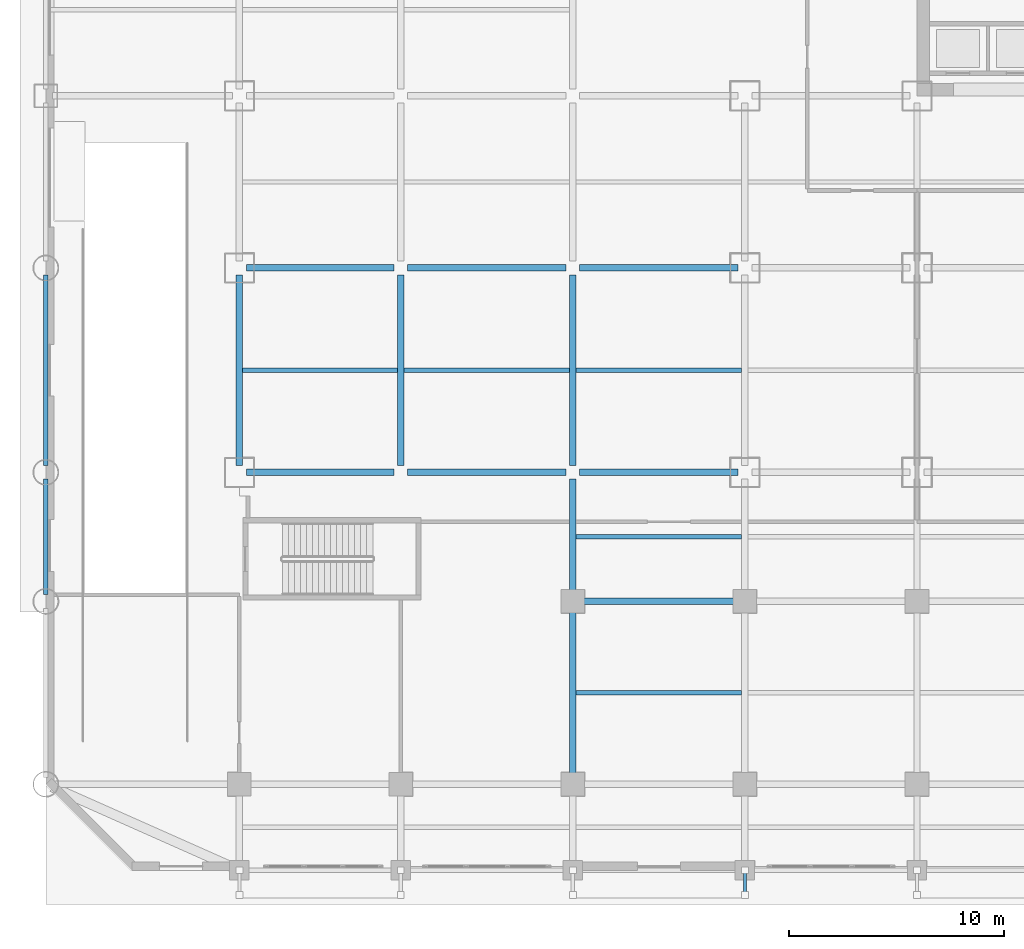
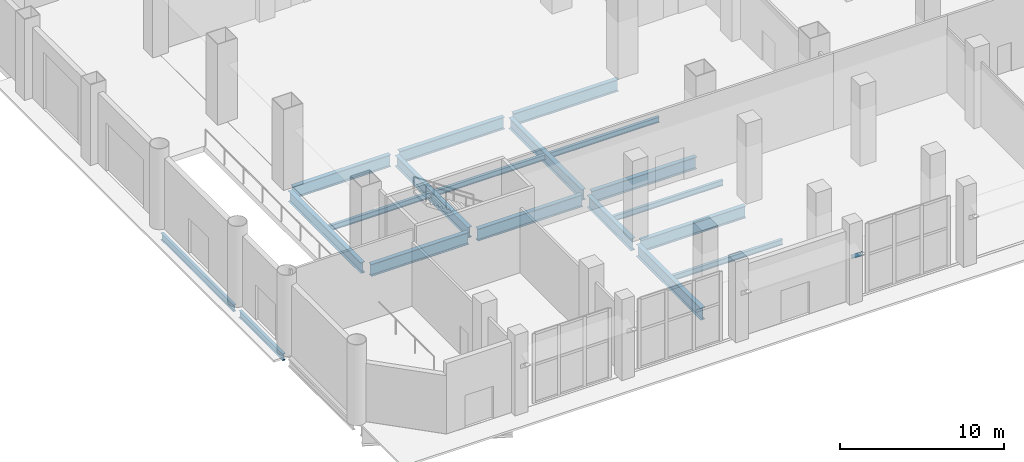
# One storey, part 5 of 19: 19 beams, 1 member.
"""IFC4 building model written with IfcOpenShell, lengths in metres."""

from ifc_helpers import new_model, si_unit, direction, frame, origin, origin_2d, place, context, subcontext, project, spatial, hollow_rectangle, i_section, extrude, material, material_profile, profile_set, type_object, element, save


model = new_model("IFC4")

# Units and contexts
model_context = context("Model", 3, precision=1e-05, world=origin(), true_north=direction((0.0, 1.0)))
body_context = subcontext(model_context, "Body", "Model", "MODEL_VIEW")
ifc_project = project(units=[si_unit("LENGTHUNIT", "METRE"), si_unit("AREAUNIT", "SQUARE_METRE"), si_unit("VOLUMEUNIT", "CUBIC_METRE"), si_unit("PLANEANGLEUNIT", "RADIAN"), si_unit("MASSUNIT", "GRAM", prefix="KILO")], contexts=[model_context])

# Site, building, storey
site_placement = place(None, origin())
site = spatial("IfcSite", under=ifc_project, at=site_placement, CompositionType="ELEMENT")
building_placement = place(site_placement, origin())
building = spatial("IfcBuilding", under=site, at=building_placement, Name="Qianrong Seaharbour Tower", CompositionType="ELEMENT")
storey_placement = place(building_placement, origin())
storey = spatial("IfcBuildingStorey", under=building, at=storey_placement, Name="L01", CompositionType="ELEMENT", Elevation=0.0)

# Beams
ifc_material_1 = material(Name="Structural steel SN490B", Category="steel")
ifc_material_profile_1 = material_profile(ifc_material_1, i_section(OverallWidth=0.300048828125, OverallDepth=0.800048828125, WebThickness=0.013916015625, FlangeThickness=0.02587890625, FilletRadius=0.028076171875, at=origin_2d()), Name="H800x300x14x26")
ifc_profile_set_1 = profile_set([ifc_material_profile_1], Name="Structural steel SN490B")
beam_type_1 = type_object("IfcBeamType", Name="BM-G-800", PredefinedType="BEAM", material=ifc_profile_set_1)
for number, where, z_axis, x_axis, name in (
    (1, (9.0, 18.820068359375, -0.820068359375), (0.0, 1.0, 0.0), (-1.0, 0.0, 0.0), "L01 Primary Girder G2 GD-GE"),
    (2, (16.5, 18.820068359375, -0.820068359375), (0.0, 1.0, 0.0), (-1.0, 0.0, 0.0), "L01 Primary Girder G3 GD-GE"),
    (3, (24.5, 18.820068359375, -0.820068359375), (0.0, 1.0, 0.0), (-1.0, 0.0, 0.0), "L01 Primary Girder G4 GD-GE"),
):
    element("IfcBeam", number, at=place(storey_placement, frame(where, z_axis=z_axis, x_axis=x_axis)), inside=storey, type_object=beam_type_1, Name=name, PredefinedType="BEAM", context=body_context, shape_type="SweptSolid", body=[
        extrude(i_section(OverallWidth=0.300048828125, OverallDepth=0.800048828125, WebThickness=0.013916015625, FlangeThickness=0.02587890625, FilletRadius=0.028076171875, at=origin_2d()), origin(), (0.0, 0.0, 1.0), 8.85986328125),
    ])
ifc_material_profile_2 = material_profile(ifc_material_1, i_section(OverallWidth=0.300048828125, OverallDepth=0.89990234375, WebThickness=0.01611328125, FlangeThickness=0.028076171875, FilletRadius=0.028076171875, at=origin_2d()), Name="H900x300x16x28")
ifc_profile_set_2 = profile_set([ifc_material_profile_2], Name="Structural steel SN490B")
beam_type_2 = type_object("IfcBeamType", Name="BM-G-900", PredefinedType="BEAM", material=ifc_profile_set_2)
beam_1_placement = place(storey_placement, frame((24.820068359375, 12.5, -0.8701171875), z_axis=(1.0, 0.0, 0.0), x_axis=(0.0, 1.0, 0.0)))
element("IfcBeam", 4, at=beam_1_placement, inside=storey, type_object=beam_type_2, Name="L01 Primary Girder GC G4-G5", PredefinedType="BEAM", context=body_context, shape_type="SweptSolid", body=[
    extrude(i_section(OverallWidth=0.300048828125, OverallDepth=0.89990234375, WebThickness=0.01611328125, FlangeThickness=0.028076171875, FilletRadius=0.028076171875, at=origin_2d()), origin(), (0.0, 0.0, 1.0), 7.35986328125),
])
beam_2_placement = place(storey_placement, frame((9.320068359375, 18.5, -0.8701171875), z_axis=(1.0, 0.0, 0.0), x_axis=(0.0, 1.0, 0.0)))
element("IfcBeam", 5, at=beam_2_placement, inside=storey, type_object=beam_type_2, Name="L01 Primary Girder GD G2-G3", PredefinedType="BEAM", context=body_context, shape_type="SweptSolid", body=[
    extrude(i_section(OverallWidth=0.300048828125, OverallDepth=0.89990234375, WebThickness=0.01611328125, FlangeThickness=0.028076171875, FilletRadius=0.028076171875, at=origin_2d()), origin(), (0.0, 0.0, 1.0), 6.85986328125),
])
for number, where, z_axis, x_axis, name in (
    (6, (16.820068359375, 18.5, -0.8701171875), (1.0, 0.0, 0.0), (0.0, 1.0, 0.0), "L01 Primary Girder GD G3-G4"),
    (7, (24.820068359375, 18.5, -0.8701171875), (1.0, 0.0, 0.0), (0.0, 1.0, 0.0), "L01 Primary Girder GD G4-G5"),
):
    element("IfcBeam", number, at=place(storey_placement, frame(where, z_axis=z_axis, x_axis=x_axis)), inside=storey, type_object=beam_type_2, Name=name, PredefinedType="BEAM", context=body_context, shape_type="SweptSolid", body=[
        extrude(i_section(OverallWidth=0.300048828125, OverallDepth=0.89990234375, WebThickness=0.01611328125, FlangeThickness=0.028076171875, FilletRadius=0.028076171875, at=origin_2d()), origin(), (0.0, 0.0, 1.0), 7.35986328125),
    ])
beam_3_placement = place(storey_placement, frame((9.320068359375, 28.0, -0.8701171875), z_axis=(1.0, 0.0, 0.0), x_axis=(0.0, 1.0, 0.0)))
element("IfcBeam", 8, at=beam_3_placement, inside=storey, type_object=beam_type_2, Name="L01 Primary Girder GE G2-G3", PredefinedType="BEAM", context=body_context, shape_type="SweptSolid", body=[
    extrude(i_section(OverallWidth=0.300048828125, OverallDepth=0.89990234375, WebThickness=0.01611328125, FlangeThickness=0.028076171875, FilletRadius=0.028076171875, at=origin_2d()), origin(), (0.0, 0.0, 1.0), 6.85986328125),
])
for number, where, z_axis, x_axis, name in (
    (9, (16.820068359375, 28.0, -0.8701171875), (1.0, 0.0, 0.0), (0.0, 1.0, 0.0), "L01 Primary Girder GE G3-G4"),
    (10, (24.820068359375, 28.0, -0.8701171875), (1.0, 0.0, 0.0), (0.0, 1.0, 0.0), "L01 Primary Girder GE G4-G5"),
):
    element("IfcBeam", number, at=place(storey_placement, frame(where, z_axis=z_axis, x_axis=x_axis)), inside=storey, type_object=beam_type_2, Name=name, PredefinedType="BEAM", context=body_context, shape_type="SweptSolid", body=[
        extrude(i_section(OverallWidth=0.300048828125, OverallDepth=0.89990234375, WebThickness=0.01611328125, FlangeThickness=0.028076171875, FilletRadius=0.028076171875, at=origin_2d()), origin(), (0.0, 0.0, 1.0), 7.35986328125),
    ])
beam_4_placement = place(storey_placement, frame((24.5, 4.320068359375, -0.8701171875), z_axis=(0.0, 1.0, 0.0), x_axis=(-1.0, 0.0, 0.0)))
element("IfcBeam", 11, at=beam_4_placement, inside=storey, type_object=beam_type_2, Name="L01 Primary Girder G4 GB-GC", PredefinedType="BEAM", context=body_context, shape_type="SweptSolid", body=[
    extrude(i_section(OverallWidth=0.300048828125, OverallDepth=0.89990234375, WebThickness=0.01611328125, FlangeThickness=0.028076171875, FilletRadius=0.028076171875, at=origin_2d()), origin(), (0.0, 0.0, 1.0), 7.85986328125),
])
beam_5_placement = place(storey_placement, frame((24.5, 12.820068359375, -0.8701171875), z_axis=(0.0, 1.0, 0.0), x_axis=(-1.0, 0.0, 0.0)))
element("IfcBeam", 12, at=beam_5_placement, inside=storey, type_object=beam_type_2, Name="L01 Primary Girder G4 GC-GD", PredefinedType="BEAM", context=body_context, shape_type="SweptSolid", body=[
    extrude(i_section(OverallWidth=0.300048828125, OverallDepth=0.89990234375, WebThickness=0.01611328125, FlangeThickness=0.028076171875, FilletRadius=0.028076171875, at=origin_2d()), origin(), (0.0, 0.0, 1.0), 5.35986328125),
])
ifc_material_2 = material(Name="Structural steel SN400B", Category="steel")
ifc_material_profile_3 = material_profile(ifc_material_2, i_section(OverallWidth=0.199951171875, OverallDepth=0.39990234375, WebThickness=0.008056640625, FlangeThickness=0.012939453125, FilletRadius=0.01611328125, at=origin_2d()), Name="H400x200x8x13")
ifc_profile_set_3 = profile_set([ifc_material_profile_3], Name="Structural steel SN400B")
beam_type_3 = type_object("IfcBeamType", Name="BM-J-400", PredefinedType="JOIST", material=ifc_profile_set_3)
beam_6_placement = place(storey_placement, frame((9.14990234375, 23.25, -0.6201171875), z_axis=(1.0, 0.0, 0.0), x_axis=(0.0, 1.0, 0.0)))
element("IfcBeam", 13, at=beam_6_placement, inside=storey, type_object=beam_type_3, Name="L01 Composite Floor Joist G2-G3/GD-GE", PredefinedType="JOIST", context=body_context, shape_type="SweptSolid", body=[
    extrude(i_section(OverallWidth=0.199951171875, OverallDepth=0.39990234375, WebThickness=0.008056640625, FlangeThickness=0.012939453125, FilletRadius=0.01611328125, at=origin_2d()), origin(), (0.0, 0.0, 1.0), 7.2001953125),
])
for number, where, z_axis, x_axis, name in (
    (14, (16.64990234375, 23.25, -0.6201171875), (1.0, 0.0, 0.0), (0.0, 1.0, 0.0), "L01 Composite Floor Joist G3-G4/GD-GE"),
    (15, (24.64990234375, 8.25, -0.6201171875), (1.0, 0.0, 0.0), (0.0, 1.0, 0.0), "L01 Composite Floor Joist G4-G5/GB-GC"),
    (16, (24.64990234375, 15.5, -0.6201171875), (1.0, 0.0, 0.0), (0.0, 1.0, 0.0), "L01 Composite Floor Joist G4-G5/GC-GD"),
    (17, (24.64990234375, 23.25, -0.6201171875), (1.0, 0.0, 0.0), (0.0, 1.0, 0.0), "L01 Composite Floor Joist G4-G5/GD-GE"),
):
    element("IfcBeam", number, at=place(storey_placement, frame(where, z_axis=z_axis, x_axis=x_axis)), inside=storey, type_object=beam_type_3, Name=name, PredefinedType="JOIST", context=body_context, shape_type="SweptSolid", body=[
        extrude(i_section(OverallWidth=0.199951171875, OverallDepth=0.39990234375, WebThickness=0.008056640625, FlangeThickness=0.012939453125, FilletRadius=0.01611328125, at=origin_2d()), origin(), (0.0, 0.0, 1.0), 7.7001953125),
    ])
ifc_material_profile_4 = material_profile(ifc_material_1, i_section(OverallWidth=0.199951171875, OverallDepth=0.5, WebThickness=0.010009765625, FlangeThickness=0.01611328125, FilletRadius=0.02001953125, at=origin_2d()), Name="H500x200x10x16")
ifc_profile_set_4 = profile_set([ifc_material_profile_4], Name="Structural steel SN490B")
beam_type_4 = type_object("IfcBeamType", Name="BM-SP-500", PredefinedType="SPANDREL", material=ifc_profile_set_4)
beam_7_placement = place(storey_placement, frame((0.0, 12.820068359375, -0.669921875), z_axis=(0.0, 1.0, 0.0), x_axis=(-1.0, 0.0, 0.0)))
element("IfcBeam", 18, at=beam_7_placement, inside=storey, type_object=beam_type_4, Name="L01 Spandrel Girder G1 GC-GD", PredefinedType="SPANDREL", context=body_context, shape_type="SweptSolid", body=[
    extrude(i_section(OverallWidth=0.199951171875, OverallDepth=0.5, WebThickness=0.010009765625, FlangeThickness=0.01611328125, FilletRadius=0.02001953125, at=origin_2d()), origin(), (0.0, 0.0, 1.0), 5.35986328125),
])
beam_8_placement = place(storey_placement, frame((0.0, 18.820068359375, -0.669921875), z_axis=(0.0, 1.0, 0.0), x_axis=(-1.0, 0.0, 0.0)))
element("IfcBeam", 19, at=beam_8_placement, inside=storey, type_object=beam_type_4, Name="L01 Spandrel Girder G1 GD-GE", PredefinedType="SPANDREL", context=body_context, shape_type="SweptSolid", body=[
    extrude(i_section(OverallWidth=0.199951171875, OverallDepth=0.5, WebThickness=0.010009765625, FlangeThickness=0.01611328125, FilletRadius=0.02001953125, at=origin_2d()), origin(), (0.0, 0.0, 1.0), 8.85986328125),
])

# Member
ifc_material_profile_5 = material_profile(ifc_material_2, hollow_rectangle(XDim=0.14990234375, YDim=0.25, WallThickness=0.009033203125, at=origin_2d()), Name="RHS250x150x9")
ifc_profile_set_5 = profile_set([ifc_material_profile_5], Name="Structural steel SN400B")
member_type = type_object("IfcMemberType", Name="MEM-STRUT-250", PredefinedType="STRUT", material=ifc_profile_set_5)
member_placement = place(storey_placement, frame((32.5, 0.0, 3.199951171875), z_axis=(0.0, -0.78743090963, 0.616402922251), x_axis=(1.0, 0.0, 0.0)))
element("IfcMember", 20, at=member_placement, inside=storey, type_object=member_type, Name="Colonnade Canopy Support Strut 2E", PredefinedType="STRUT", context=body_context, shape_type="SweptSolid", body=[
    extrude(hollow_rectangle(XDim=0.14990234375, YDim=0.25, WallThickness=0.009033203125, at=origin_2d()), origin(), (0.0, 0.0, 1.0), 1.460205078125),
])

save(model, "model.ifc")
